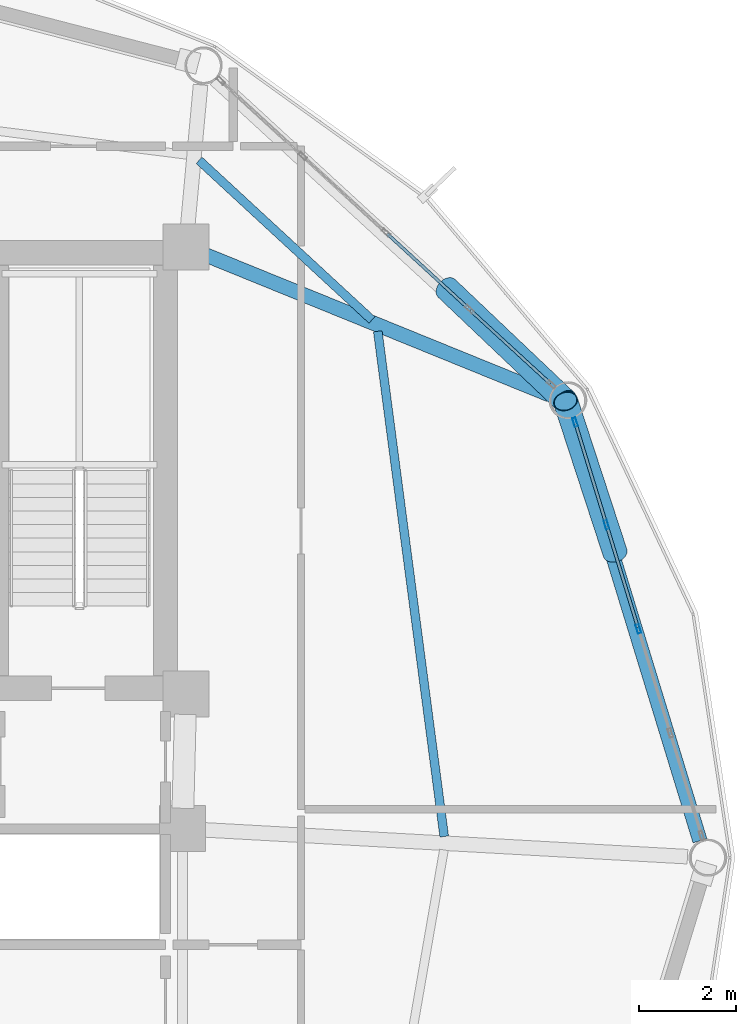
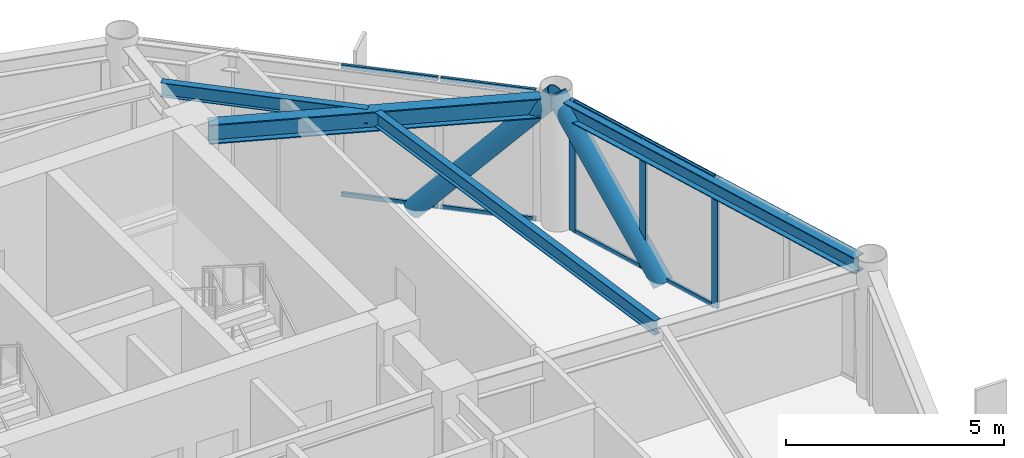
# One storey, part 15 of 26: 13 members, 4 beams, 2 elements without a shape of their own.
"""IFC4 building model written with IfcOpenShell, lengths in metres."""

from ifc_helpers import new_model, si_unit, direction, frame, origin, origin_2d, place, context, subcontext, project, spatial, hollow_rectangle, hollow_circle, i_section, extrude, material, layer, layer_set, material_profile, profile_set, type_object, element, aggregate, save


model = new_model("IFC4")

# Units and contexts
model_context = context("Model", 3, precision=1e-05, world=origin(), true_north=direction((0.0, 1.0)))
body_context = subcontext(model_context, "Body", "Model", "MODEL_VIEW")
ifc_project = project(units=[si_unit("LENGTHUNIT", "METRE"), si_unit("AREAUNIT", "SQUARE_METRE"), si_unit("VOLUMEUNIT", "CUBIC_METRE"), si_unit("PLANEANGLEUNIT", "RADIAN"), si_unit("MASSUNIT", "GRAM", prefix="KILO")], contexts=[model_context])

# Site, building, storey
site_placement = place(None, origin())
site = spatial("IfcSite", under=ifc_project, at=site_placement, CompositionType="ELEMENT")
building_placement = place(site_placement, origin())
building = spatial("IfcBuilding", under=site, at=building_placement, Name="Varnakorn Sky Granary", CompositionType="ELEMENT")
storey_placement = place(building_placement, frame((0.0, 0.0, 153.89990234375)))
storey = spatial("IfcBuildingStorey", under=building, at=storey_placement, Name="L38", CompositionType="ELEMENT", Elevation=153.89990234375)

# Beams
ifc_material_1 = material(Name="Steel S355JR", Category="steel")
ifc_material_profile_1 = material_profile(ifc_material_1, i_section(OverallWidth=0.300048828125, OverallDepth=0.550048828125, WebThickness=0.014892578125, FlangeThickness=0.029052734375, at=origin_2d()), Name="HE 550 B")
ifc_profile_set_1 = profile_set([ifc_material_profile_1], Name="Steel S355JR")
beam_type_1 = type_object("IfcBeamType", Name="BM-RAD-Z3", PredefinedType="BEAM", material=ifc_profile_set_1)
beam_1_placement = place(storey_placement, frame((8.80908203125, 12.4619140625, 3.364990234375), z_axis=(0.926322838152, -0.376730672388, 0.0), x_axis=(0.376730672388, 0.926322838152, 0.0)))
element("IfcBeam", 1, at=beam_1_placement, inside=storey, type_object=beam_type_1, Name="Radial Floor Girder RG02 L38", PredefinedType="BEAM", context=body_context, shape_type="SweptSolid", body=[
    extrude(i_section(OverallWidth=0.300048828125, OverallDepth=0.550048828125, WebThickness=0.014892578125, FlangeThickness=0.029052734375, at=origin_2d()), origin(), (0.0, 0.0, 1.0), 7.6845703125),
])
ifc_material_profile_2 = material_profile(ifc_material_1, i_section(OverallWidth=0.179931640625, OverallDepth=0.39990234375, WebThickness=0.008544921875, FlangeThickness=0.013427734375, at=origin_2d()), Name="IPE 400")
ifc_profile_set_2 = profile_set([ifc_material_profile_2], Name="Steel S355JR")
beam_type_2 = type_object("IfcBeamType", Name="BM-SEC-Z3", PredefinedType="BEAM", material=ifc_profile_set_2)
beam_2_placement = place(storey_placement, frame((13.7587890625, 0.437255859375, 3.440185546875), z_axis=(-0.130348335674, 0.991468260403, 0.0), x_axis=(-0.991468260403, -0.130348335674, 0.0)))
element("IfcBeam", 2, at=beam_2_placement, inside=storey, type_object=beam_type_2, Name="Secondary Floor Chord Beam MSB01 L38", PredefinedType="BEAM", context=body_context, shape_type="SweptSolid", body=[
    extrude(i_section(OverallWidth=0.179931640625, OverallDepth=0.39990234375, WebThickness=0.008544921875, FlangeThickness=0.013427734375, at=origin_2d()), origin(), (0.0, 0.0, 1.0), 10.528076171875),
])
beam_3_placement = place(storey_placement, frame((12.265380859375, 11.109375, 3.440185546875), z_axis=(-0.73462243288, 0.678476146309, 0.0), x_axis=(-0.678476146309, -0.73462243288, 0.0)))
element("IfcBeam", 3, at=beam_3_placement, inside=storey, type_object=beam_type_2, Name="Secondary Floor Chord Beam MSB02 L38", PredefinedType="BEAM", context=body_context, shape_type="SweptSolid", body=[
    extrude(i_section(OverallWidth=0.179931640625, OverallDepth=0.39990234375, WebThickness=0.008544921875, FlangeThickness=0.013427734375, at=origin_2d()), origin(), (0.0, 0.0, 1.0), 4.861328125),
])
ifc_material_profile_3 = material_profile(ifc_material_1, i_section(OverallWidth=0.300048828125, OverallDepth=0.449951171875, WebThickness=0.013916015625, FlangeThickness=0.02587890625, at=origin_2d()), Name="HE 450 B")
ifc_profile_set_3 = profile_set([ifc_material_profile_3], Name="Steel S355JR")
beam_type_3 = type_object("IfcBeamType", Name="BM-SPD-Z3", PredefinedType="SPANDREL", material=ifc_profile_set_3)
beam_4_placement = place(storey_placement, frame((19.04296875, 0.35009765625, 3.4150390625), z_axis=(-0.292442765149, 0.956283027724, 0.0), x_axis=(-0.956283027724, -0.292442765149, 0.0)))
element("IfcBeam", 4, at=beam_4_placement, inside=storey, type_object=beam_type_3, Name="Perimeter Spandrel Ring Beam RB01 L38", PredefinedType="SPANDREL", context=body_context, shape_type="SweptSolid", body=[
    extrude(i_section(OverallWidth=0.300048828125, OverallDepth=0.449951171875, WebThickness=0.013916015625, FlangeThickness=0.02587890625, at=origin_2d()), origin(), (0.0, 0.0, 1.0), 9.128173828125),
])

# Curtain wall, members
ifc_material_2 = material(Name="Anodised Bronze Aluminium Alloy 6063-T6", Category="aluminium")
ifc_layer = layer(ifc_material_2, 0.179931640625, Name="Anodised Bronze Aluminium Alloy 6063-T6")
ifc_layer_set = layer_set([ifc_layer], Name="Anodised Bronze Aluminium Alloy 6063-T6")
curtain_wall_type = type_object("IfcCurtainWallType", Name="CW-FRM-2", PredefinedType="USERDEFINED", material=ifc_layer_set)
curtain_wall_1_placement = place(storey_placement, origin())
curtain_wall_1 = element("IfcCurtainWall", 5, at=curtain_wall_1_placement, inside=storey, type_object=curtain_wall_type, Name="Unitised Curtain Wall CW4 CW-L38-B01", ObjectType="CURTAIN WALL", PredefinedType="USERDEFINED")
ifc_material_profile_4 = material_profile(ifc_material_2, hollow_rectangle(XDim=0.070068359375, YDim=0.18505859375, WallThickness=0.00390625, at=origin_2d()), Name="ALU MULL 70x185")
ifc_profile_set_4 = profile_set([ifc_material_profile_4], Name="Anodised Bronze Aluminium Alloy 6063-T6")
member_type_1 = type_object("IfcMemberType", Name="CW-FRM-2-MULL", PredefinedType="MULLION", material=ifc_profile_set_4)
member_1_placement = place(storey_placement, frame((16.463623046875, 8.997314453125, 0.0), z_axis=(0.0, 0.0, 1.0), x_axis=(0.956229135682, 0.29261893321, 0.0)))
member_1 = element("IfcMember", 6, at=member_1_placement, type_object=member_type_1, Name="CW4 mullion 1", PredefinedType="MULLION", context=body_context, shape_type="SweptSolid", body=[
    extrude(hollow_rectangle(XDim=0.070068359375, YDim=0.18505859375, WallThickness=0.00390625, at=origin_2d()), origin(), (0.0, 0.0, 1.0), 3.64013671875),
])
member_2_placement = place(storey_placement, frame((17.112060546875, 6.87841796875, 0.0), z_axis=(0.0, 0.0, 1.0), x_axis=(0.956229135682, 0.29261893321, 0.0)))
member_2 = element("IfcMember", 7, at=member_2_placement, type_object=member_type_1, Name="CW4 mullion 2", PredefinedType="MULLION", context=body_context, shape_type="SweptSolid", body=[
    extrude(hollow_rectangle(XDim=0.070068359375, YDim=0.18505859375, WallThickness=0.00390625, at=origin_2d()), origin(), (0.0, 0.0, 1.0), 3.64013671875),
])
member_3_placement = place(storey_placement, frame((17.770751953125, 4.726318359375, 0.0), z_axis=(0.0, 0.0, 1.0), x_axis=(0.956229135682, 0.29261893321, 0.0)))
member_3 = element("IfcMember", 8, at=member_3_placement, type_object=member_type_1, Name="CW4 mullion 3", PredefinedType="MULLION", context=body_context, shape_type="SweptSolid", body=[
    extrude(hollow_rectangle(XDim=0.070068359375, YDim=0.18505859375, WallThickness=0.00390625, at=origin_2d()), origin(), (0.0, 0.0, 1.0), 3.64013671875),
])
ifc_material_profile_5 = material_profile(ifc_material_2, hollow_rectangle(XDim=0.06494140625, YDim=0.1201171875, WallThickness=0.00341796875, at=origin_2d()), Name="ALU TRAN 65x120")
ifc_profile_set_5 = profile_set([ifc_material_profile_5], Name="Anodised Bronze Aluminium Alloy 6063-T6")
member_type_2 = type_object("IfcMemberType", Name="CW-FRM-2-TRAN", PredefinedType="USERDEFINED", material=ifc_profile_set_5)
member_4_placement = place(storey_placement, frame((16.473876953125, 8.9638671875, 0.03271484375), z_axis=(0.292646331682, -0.956220750953, 0.0), x_axis=(0.956220750953, 0.292646331682, 0.0)))
member_4 = element("IfcMember", 9, at=member_4_placement, type_object=member_type_2, Name="CW4 transom 1.1", ObjectType="TRANSOM", PredefinedType="USERDEFINED", context=body_context, shape_type="SweptSolid", body=[
    extrude(hollow_rectangle(XDim=0.06494140625, YDim=0.1201171875, WallThickness=0.00341796875, at=origin_2d()), origin(), (0.0, 0.0, 1.0), 2.145751953125),
])
member_5_placement = place(storey_placement, frame((16.473876953125, 8.9638671875, 3.607666015625), z_axis=(0.292646331682, -0.956220750953, 0.0), x_axis=(0.956220750953, 0.292646331682, 0.0)))
member_5 = element("IfcMember", 10, at=member_5_placement, type_object=member_type_2, Name="CW4 transom 1.2", ObjectType="TRANSOM", PredefinedType="USERDEFINED", context=body_context, shape_type="SweptSolid", body=[
    extrude(hollow_rectangle(XDim=0.06494140625, YDim=0.1201171875, WallThickness=0.00341796875, at=origin_2d()), origin(), (0.0, 0.0, 1.0), 2.145751953125),
])
member_6_placement = place(storey_placement, frame((17.122314453125, 6.844970703125, 0.03271484375), z_axis=(0.292653688925, -0.956218499276, 0.0), x_axis=(0.956218499276, 0.292653688925, 0.0)))
member_6 = element("IfcMember", 11, at=member_6_placement, type_object=member_type_2, Name="CW4 transom 2.1", ObjectType="TRANSOM", PredefinedType="USERDEFINED", context=body_context, shape_type="SweptSolid", body=[
    extrude(hollow_rectangle(XDim=0.06494140625, YDim=0.1201171875, WallThickness=0.00341796875, at=origin_2d()), origin(), (0.0, 0.0, 1.0), 2.1806640625),
])
member_7_placement = place(storey_placement, frame((17.122314453125, 6.844970703125, 3.607666015625), z_axis=(0.292653688925, -0.956218499276, 0.0), x_axis=(0.956218499276, 0.292653688925, 0.0)))
member_7 = element("IfcMember", 12, at=member_7_placement, type_object=member_type_2, Name="CW4 transom 2.2", ObjectType="TRANSOM", PredefinedType="USERDEFINED", context=body_context, shape_type="SweptSolid", body=[
    extrude(hollow_rectangle(XDim=0.06494140625, YDim=0.1201171875, WallThickness=0.00341796875, at=origin_2d()), origin(), (0.0, 0.0, 1.0), 2.1806640625),
])
aggregate(curtain_wall_1, [member_1, member_2, member_3, member_4, member_5, member_6, member_7])

curtain_wall_2_placement = place(storey_placement, origin())
curtain_wall_2 = element("IfcCurtainWall", 13, at=curtain_wall_2_placement, inside=storey, type_object=curtain_wall_type, Name="Unitised Curtain Wall CW4 CW-L38-B02", ObjectType="CURTAIN WALL", PredefinedType="USERDEFINED")
member_8_placement = place(storey_placement, frame((12.58349609375, 12.888671875, 0.03271484375), z_axis=(0.736465278556, -0.676475345804, 0.0), x_axis=(0.676475345804, 0.736465278556, 0.0)))
member_8 = element("IfcMember", 14, at=member_8_placement, type_object=member_type_2, Name="CW4 transom 3.1", ObjectType="TRANSOM", PredefinedType="USERDEFINED", context=body_context, shape_type="SweptSolid", body=[
    extrude(hollow_rectangle(XDim=0.06494140625, YDim=0.1201171875, WallThickness=0.00341796875, at=origin_2d()), origin(), (0.0, 0.0, 1.0), 2.266845703125),
])
member_9_placement = place(storey_placement, frame((12.58349609375, 12.888671875, 3.607666015625), z_axis=(0.736465278556, -0.676475345804, 0.0), x_axis=(0.676475345804, 0.736465278556, 0.0)))
member_9 = element("IfcMember", 15, at=member_9_placement, type_object=member_type_2, Name="CW4 transom 3.2", ObjectType="TRANSOM", PredefinedType="USERDEFINED", context=body_context, shape_type="SweptSolid", body=[
    extrude(hollow_rectangle(XDim=0.06494140625, YDim=0.1201171875, WallThickness=0.00341796875, at=origin_2d()), origin(), (0.0, 0.0, 1.0), 2.266845703125),
])
member_10_placement = place(storey_placement, frame((14.304443359375, 11.307861328125, 0.03271484375), z_axis=(0.736495410887, -0.676442539867, 0.0), x_axis=(0.676442539867, 0.736495410887, 0.0)))
member_10 = element("IfcMember", 16, at=member_10_placement, type_object=member_type_2, Name="CW4 transom 4.1", ObjectType="TRANSOM", PredefinedType="USERDEFINED", context=body_context, shape_type="SweptSolid", body=[
    extrude(hollow_rectangle(XDim=0.06494140625, YDim=0.1201171875, WallThickness=0.00341796875, at=origin_2d()), origin(), (0.0, 0.0, 1.0), 2.23193359375),
])
member_11_placement = place(storey_placement, frame((14.304443359375, 11.307861328125, 3.607666015625), z_axis=(0.736495410887, -0.676442539867, 0.0), x_axis=(0.676442539867, 0.736495410887, 0.0)))
member_11 = element("IfcMember", 17, at=member_11_placement, type_object=member_type_2, Name="CW4 transom 4.2", ObjectType="TRANSOM", PredefinedType="USERDEFINED", context=body_context, shape_type="SweptSolid", body=[
    extrude(hollow_rectangle(XDim=0.06494140625, YDim=0.1201171875, WallThickness=0.00341796875, at=origin_2d()), origin(), (0.0, 0.0, 1.0), 2.23193359375),
])
aggregate(curtain_wall_2, [member_8, member_9, member_10, member_11])

# Members
ifc_material_3 = material(Name="Steel S460M", Category="steel")
ifc_material_profile_6 = material_profile(ifc_material_3, hollow_circle(Radius=0.25390625, WallThickness=0.01806640625, at=origin_2d()), Name="CHS 508x18")
ifc_profile_set_6 = profile_set([ifc_material_profile_6], Name="Steel S460M")
member_type_3 = type_object("IfcMemberType", Name="MB-DIAG-T2", PredefinedType="BRACE", material=ifc_profile_set_6)
member_12_placement = place(storey_placement, frame((17.288818359375, 6.3017578125, -0.1298828125), z_axis=(-0.204290863381, 0.624972932659, 0.753441488494), x_axis=(-0.950507547517, -0.310701467832, 0.0)))
element("IfcMember", 18, at=member_12_placement, inside=storey, type_object=member_type_3, Name="Perimeter CHS Diagrid Brace DG01 L38", PredefinedType="BRACE", context=body_context, shape_type="SweptSolid", body=[
    extrude(hollow_circle(Radius=0.25390625, WallThickness=0.01806640625, at=origin_2d()), origin(), (0.0, 0.0, 1.0), 5.003662109375),
])
member_13_placement = place(storey_placement, frame((13.813232421875, 11.759033203125, -0.1298828125), z_axis=(0.484309853388, -0.459971463901, 0.744224575184), x_axis=(0.688652742673, 0.725091304602, 0.0)))
element("IfcMember", 19, at=member_13_placement, inside=storey, type_object=member_type_3, Name="Perimeter CHS Diagrid Brace DG02 L38", PredefinedType="BRACE", context=body_context, shape_type="SweptSolid", body=[
    extrude(hollow_circle(Radius=0.25390625, WallThickness=0.01806640625, at=origin_2d()), origin(), (0.0, 0.0, 1.0), 5.065673828125),
])

save(model, "model.ifc")
